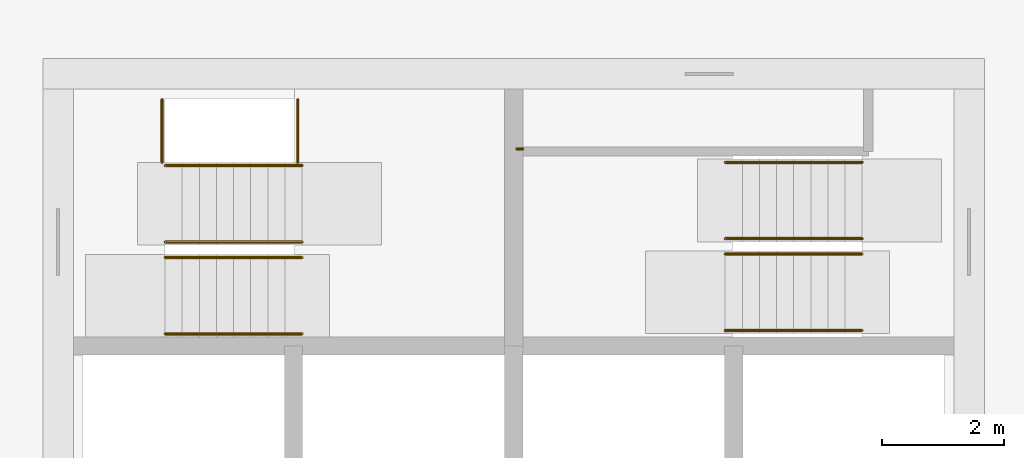
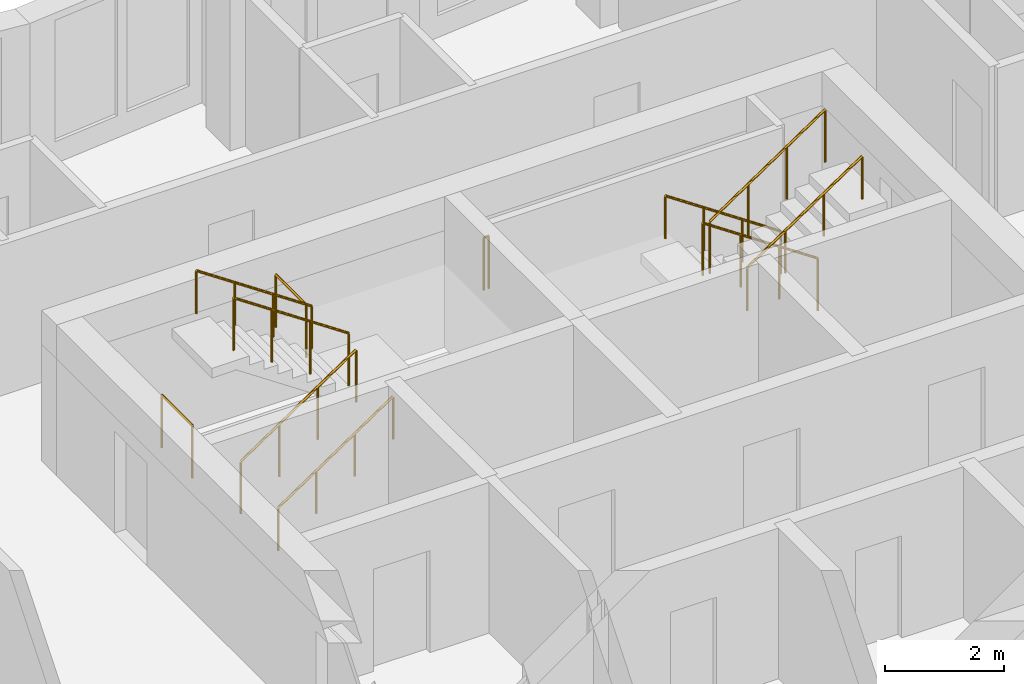
# One storey, part 11 of 12: 11 railings.
"""IFC4 building model written with IfcOpenShell, lengths in metres."""

from ifc_helpers import new_model, si_unit, direction, frame, origin, origin_2d, place, context, subcontext, project, spatial, circle, extrude, material, type_object, element, save


model = new_model("IFC4")

# Units and contexts
model_context = context("Model", 3, precision=1e-05, world=origin(), true_north=direction((0.0, 1.0)))
body_context = subcontext(model_context, "Body", "Model", "MODEL_VIEW")
ifc_project = project(units=[si_unit("LENGTHUNIT", "METRE"), si_unit("AREAUNIT", "SQUARE_METRE"), si_unit("VOLUMEUNIT", "CUBIC_METRE"), si_unit("PLANEANGLEUNIT", "RADIAN"), si_unit("MASSUNIT", "GRAM", prefix="KILO")], contexts=[model_context])

# Site, building, storey
site_placement = place(None, origin())
site = spatial("IfcSite", under=ifc_project, at=site_placement, CompositionType="ELEMENT")
building_placement = place(site_placement, origin())
building = spatial("IfcBuilding", under=site, at=building_placement, Name="Windrow Commons", CompositionType="ELEMENT")
storey_placement = place(building_placement, frame((0.0, 0.0, 199.8)))
storey = spatial("IfcBuildingStorey", under=building, at=storey_placement, Name="L54", CompositionType="ELEMENT", Elevation=199.8)

# Railings
ifc_material_1 = material(Name="Steel S355", Category="steel")
railing_type_1 = type_object("IfcRailingType", Name="Core stair guard 1100", PredefinedType="GUARDRAIL", material=ifc_material_1)
railing_1_placement = place(storey_placement, frame((59.1, 62.05, 0.1889)))
element("IfcRailing", 1, at=railing_1_placement, inside=storey, type_object=railing_type_1, Name="L54 ST-A1 stair guard 1", PredefinedType="GUARDRAIL", context=body_context, shape_type="SweptSolid", body=[
    extrude(circle(Radius=0.024, at=origin_2d()), frame((0.0, 0.0, 1.076), z_axis=(0.8290030985, 0.0, 0.5592440099), x_axis=(0.0, 1.0, 0.0)), (0.0, 0.0, 1.0), 2.702),
    extrude(circle(Radius=0.021, at=origin_2d()), origin(), (0.0, 0.0, 1.0), 1.052),
    extrude(circle(Radius=0.021, at=origin_2d()), frame((0.7467, 0.0, 0.5037)), (0.0, 0.0, 1.0), 1.052),
    extrude(circle(Radius=0.021, at=origin_2d()), frame((1.4933, 0.0, 1.0074)), (0.0, 0.0, 1.0), 1.052),
    extrude(circle(Radius=0.021, at=origin_2d()), frame((2.24, 0.0, 1.5111)), (0.0, 0.0, 1.0), 1.052),
])
railing_2_placement = place(storey_placement, frame((61.34, 62.3, 1.8889)))
element("IfcRailing", 2, at=railing_2_placement, inside=storey, type_object=railing_type_1, Name="L54 ST-A1 stair guard 2", PredefinedType="GUARDRAIL", context=body_context, shape_type="SweptSolid", body=[
    extrude(circle(Radius=0.024, at=origin_2d()), frame((0.0, 0.0, 1.076), z_axis=(-0.8290030985, 0.0, 0.5592440099), x_axis=(0.0, -1.0, 0.0)), (0.0, 0.0, 1.0), 2.702),
    extrude(circle(Radius=0.021, at=origin_2d()), origin(), (0.0, 0.0, 1.0), 1.052),
    extrude(circle(Radius=0.021, at=origin_2d()), frame((-0.7467, 0.0, 0.5037)), (0.0, 0.0, 1.0), 1.052),
    extrude(circle(Radius=0.021, at=origin_2d()), frame((-1.4933, 0.0, 1.0074)), (0.0, 0.0, 1.0), 1.052),
    extrude(circle(Radius=0.021, at=origin_2d()), frame((-2.24, 0.0, 1.5111)), (0.0, 0.0, 1.0), 1.052),
])
for number, where, name in (
    (3, (59.05, 63.6, 0.0), "L54 ST-A1 stair guard 3"),
    (4, (61.27, 63.6, 1.7), "L54 ST-A1 stair guard 4"),
):
    element("IfcRailing", number, at=place(storey_placement, frame(where)), inside=storey, type_object=railing_type_1, Name=name, PredefinedType="GUARDRAIL", context=body_context, shape_type="SweptSolid", body=[
        extrude(circle(Radius=0.024, at=origin_2d()), frame((0.0, 0.0, 1.076), z_axis=(0.0, 1.0, 0.0), x_axis=(-1.0, 0.0, 0.0)), (0.0, 0.0, 1.0), 1.03),
        extrude(circle(Radius=0.021, at=origin_2d()), origin(), (0.0, 0.0, 1.0), 1.052),
        extrude(circle(Radius=0.021, at=origin_2d()), frame((0.0, 1.03, 0.0)), (0.0, 0.0, 1.0), 1.052),
    ])
railing_3_placement = place(storey_placement, frame((70.5, 62.355, 0.1889)))
element("IfcRailing", 5, at=railing_3_placement, inside=storey, type_object=railing_type_1, Name="L54 ST-A2 stair guard 1", PredefinedType="GUARDRAIL", context=body_context, shape_type="SweptSolid", body=[
    extrude(circle(Radius=0.024, at=origin_2d()), frame((0.0, 0.0, 1.076), z_axis=(-0.8290030985, 0.0, 0.5592440099), x_axis=(0.0, -1.0, 0.0)), (0.0, 0.0, 1.0), 2.702),
    extrude(circle(Radius=0.021, at=origin_2d()), origin(), (0.0, 0.0, 1.0), 1.052),
    extrude(circle(Radius=0.021, at=origin_2d()), frame((-0.7467, 0.0, 0.5037)), (0.0, 0.0, 1.0), 1.052),
    extrude(circle(Radius=0.021, at=origin_2d()), frame((-1.4933, 0.0, 1.0074)), (0.0, 0.0, 1.0), 1.052),
    extrude(circle(Radius=0.021, at=origin_2d()), frame((-2.24, 0.0, 1.5111)), (0.0, 0.0, 1.0), 1.052),
])
railing_4_placement = place(storey_placement, frame((68.26, 62.105, 1.8889)))
element("IfcRailing", 6, at=railing_4_placement, inside=storey, type_object=railing_type_1, Name="L54 ST-A2 stair guard 2", PredefinedType="GUARDRAIL", context=body_context, shape_type="SweptSolid", body=[
    extrude(circle(Radius=0.024, at=origin_2d()), frame((0.0, 0.0, 1.076), z_axis=(0.8290030985, 0.0, 0.5592440099), x_axis=(0.0, 1.0, 0.0)), (0.0, 0.0, 1.0), 2.702),
    extrude(circle(Radius=0.021, at=origin_2d()), origin(), (0.0, 0.0, 1.0), 1.052),
    extrude(circle(Radius=0.021, at=origin_2d()), frame((0.7467, 0.0, 0.5037)), (0.0, 0.0, 1.0), 1.052),
    extrude(circle(Radius=0.021, at=origin_2d()), frame((1.4933, 0.0, 1.0074)), (0.0, 0.0, 1.0), 1.052),
    extrude(circle(Radius=0.021, at=origin_2d()), frame((2.24, 0.0, 1.5111)), (0.0, 0.0, 1.0), 1.052),
])
railing_5_placement = place(storey_placement, frame((64.95, 63.825, 1.7)))
element("IfcRailing", 7, at=railing_5_placement, inside=storey, type_object=railing_type_1, Name="L54 ST-A2 stair guard 3", PredefinedType="GUARDRAIL", context=body_context, shape_type="SweptSolid", body=[
    extrude(circle(Radius=0.024, at=origin_2d()), frame((0.0, 0.0, 1.076), z_axis=(-1.0, 0.0, 0.0), x_axis=(0.0, -1.0, 0.0)), (0.0, 0.0, 1.0), 0.1),
    extrude(circle(Radius=0.021, at=origin_2d()), origin(), (0.0, 0.0, 1.0), 1.052),
    extrude(circle(Radius=0.021, at=origin_2d()), frame((-0.1, 0.0, 0.0)), (0.0, 0.0, 1.0), 1.052),
])
ifc_material_2 = material(Name="Steel S355", Category="steel")
railing_type_2 = type_object("IfcRailingType", Name="Core stair handrail 900", PredefinedType="HANDRAIL", material=ifc_material_2)
railing_6_placement = place(storey_placement, frame((59.1, 60.8, 0.1889)))
element("IfcRailing", 8, at=railing_6_placement, inside=storey, type_object=railing_type_2, Name="L54 ST-A1 stair handrail 1", PredefinedType="HANDRAIL", context=body_context, shape_type="SweptSolid", body=[
    extrude(circle(Radius=0.024, at=origin_2d()), frame((0.0, 0.0, 0.876), z_axis=(0.8290030985, 0.0, 0.5592440099), x_axis=(0.0, 1.0, 0.0)), (0.0, 0.0, 1.0), 2.702),
    extrude(circle(Radius=0.021, at=origin_2d()), origin(), (0.0, 0.0, 1.0), 0.852),
    extrude(circle(Radius=0.021, at=origin_2d()), frame((0.7467, 0.0, 0.5037)), (0.0, 0.0, 1.0), 0.852),
    extrude(circle(Radius=0.021, at=origin_2d()), frame((1.4933, 0.0, 1.0074)), (0.0, 0.0, 1.0), 0.852),
    extrude(circle(Radius=0.021, at=origin_2d()), frame((2.24, 0.0, 1.5111)), (0.0, 0.0, 1.0), 0.852),
])
for number, where, name in (
    (9, (61.34, 63.55, 1.8889), "L54 ST-A1 stair handrail 2"),
    (10, (70.5, 63.605, 0.1889), "L54 ST-A2 stair handrail 1"),
):
    element("IfcRailing", number, at=place(storey_placement, frame(where)), inside=storey, type_object=railing_type_2, Name=name, PredefinedType="HANDRAIL", context=body_context, shape_type="SweptSolid", body=[
        extrude(circle(Radius=0.024, at=origin_2d()), frame((0.0, 0.0, 0.876), z_axis=(-0.8290030985, 0.0, 0.5592440099), x_axis=(0.0, -1.0, 0.0)), (0.0, 0.0, 1.0), 2.702),
        extrude(circle(Radius=0.021, at=origin_2d()), origin(), (0.0, 0.0, 1.0), 0.852),
        extrude(circle(Radius=0.021, at=origin_2d()), frame((-0.7467, 0.0, 0.5037)), (0.0, 0.0, 1.0), 0.852),
        extrude(circle(Radius=0.021, at=origin_2d()), frame((-1.4933, 0.0, 1.0074)), (0.0, 0.0, 1.0), 0.852),
        extrude(circle(Radius=0.021, at=origin_2d()), frame((-2.24, 0.0, 1.5111)), (0.0, 0.0, 1.0), 0.852),
    ])
railing_7_placement = place(storey_placement, frame((68.26, 60.855, 1.8889)))
element("IfcRailing", 11, at=railing_7_placement, inside=storey, type_object=railing_type_2, Name="L54 ST-A2 stair handrail 2", PredefinedType="HANDRAIL", context=body_context, shape_type="SweptSolid", body=[
    extrude(circle(Radius=0.024, at=origin_2d()), frame((0.0, 0.0, 0.876), z_axis=(0.8290030985, 0.0, 0.5592440099), x_axis=(0.0, 1.0, 0.0)), (0.0, 0.0, 1.0), 2.702),
    extrude(circle(Radius=0.021, at=origin_2d()), origin(), (0.0, 0.0, 1.0), 0.852),
    extrude(circle(Radius=0.021, at=origin_2d()), frame((0.7467, 0.0, 0.5037)), (0.0, 0.0, 1.0), 0.852),
    extrude(circle(Radius=0.021, at=origin_2d()), frame((1.4933, 0.0, 1.0074)), (0.0, 0.0, 1.0), 0.852),
    extrude(circle(Radius=0.021, at=origin_2d()), frame((2.24, 0.0, 1.5111)), (0.0, 0.0, 1.0), 0.852),
])

save(model, "model.ifc")
